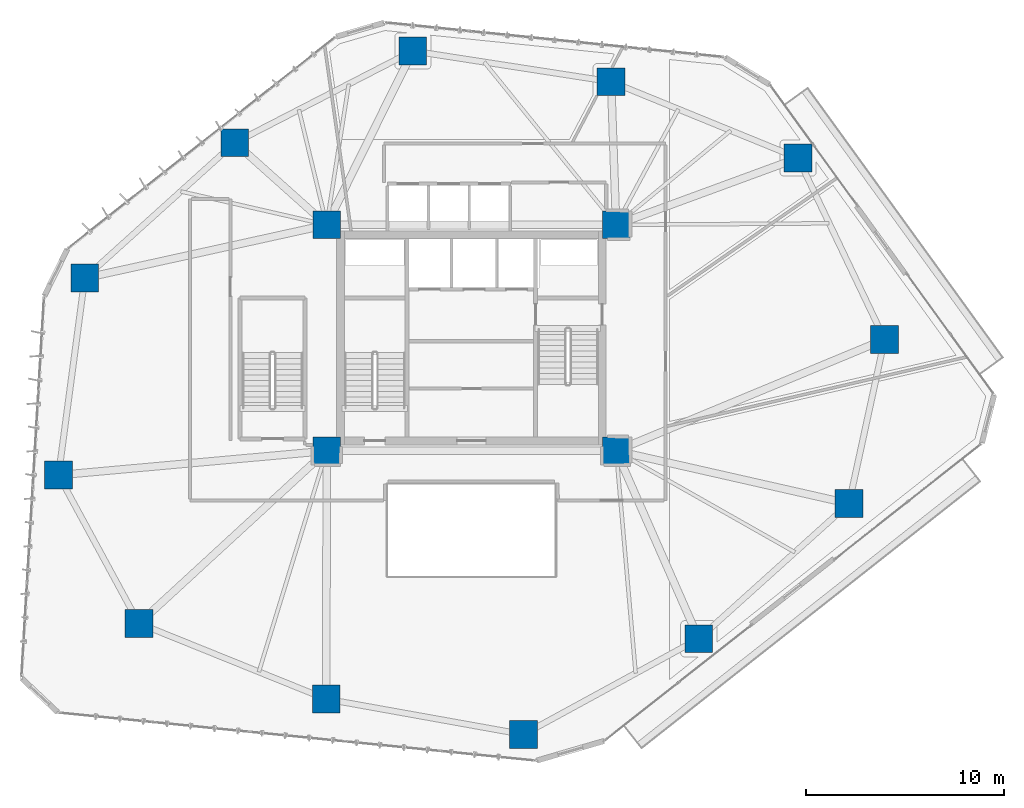
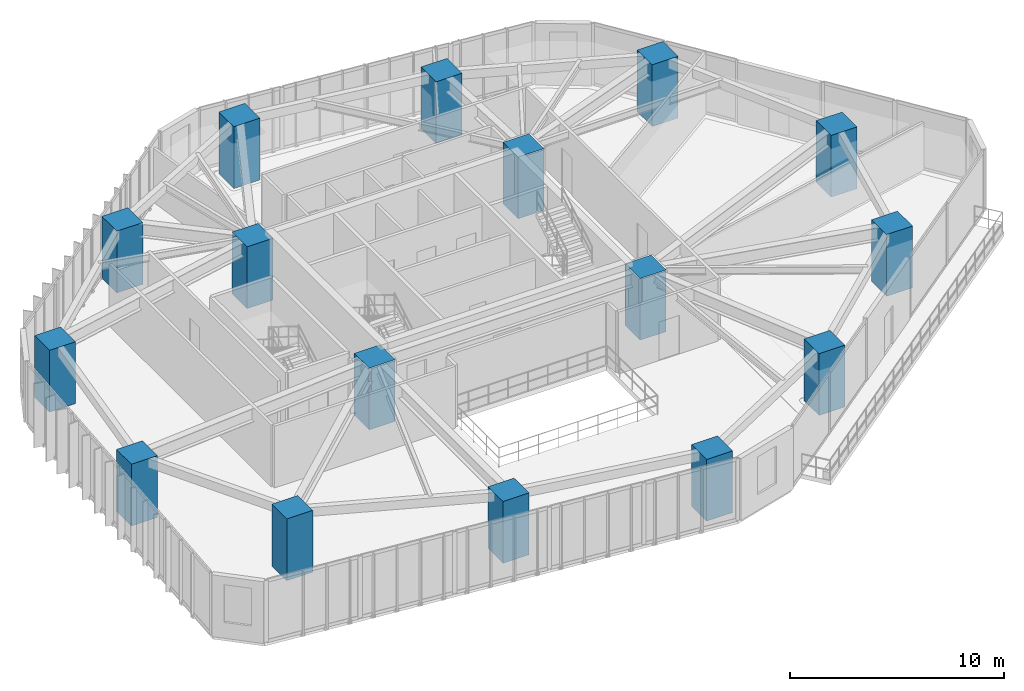
# One storey, part 1 of 24: 16 columns.
"""IFC4 building model written with IfcOpenShell, lengths in metres."""

from ifc_helpers import new_model, si_unit, direction, frame, origin, origin_2d, place, context, subcontext, project, spatial, rectangle, extrude, material, material_profile, profile_set, type_object, element, save


model = new_model("IFC4")

# Units and contexts
model_context = context("Model", 3, precision=1e-05, world=origin(), true_north=direction((0.0, 1.0)))
body_context = subcontext(model_context, "Body", "Model", "MODEL_VIEW")
ifc_project = project(units=[si_unit("LENGTHUNIT", "METRE"), si_unit("AREAUNIT", "SQUARE_METRE"), si_unit("VOLUMEUNIT", "CUBIC_METRE"), si_unit("PLANEANGLEUNIT", "RADIAN"), si_unit("MASSUNIT", "GRAM", prefix="KILO")], contexts=[model_context])

# Site, building, storey
site_placement = place(None, origin())
site = spatial("IfcSite", under=ifc_project, at=site_placement, CompositionType="ELEMENT")
building_placement = place(site_placement, origin())
building = spatial("IfcBuilding", under=site, at=building_placement, Name="Talar Marvaseh", CompositionType="ELEMENT")
storey_placement = place(building_placement, frame((0.0, 0.0, 73.39990234375)))
storey = spatial("IfcBuildingStorey", under=building, at=storey_placement, Name="L18", CompositionType="ELEMENT", Elevation=73.39990234375)

# Columns
ifc_material = material(Name="Concrete C70/85", Category="concrete")
ifc_material_profile = material_profile(ifc_material, rectangle(XDim=1.39990234375, YDim=1.39990234375, at=origin_2d()), Name="RC1400x1400")
ifc_profile_set = profile_set([ifc_material_profile], Name="Concrete C70/85")
column_type = type_object("IfcColumnType", Name="Zone 1 Tube Column RC1400x1400", PredefinedType="COLUMN", material=ifc_profile_set)
for number, where, z_axis, x_axis, name in (
    (1, (42.47705078125, 40.26904296875, 0.0), (0.0, 0.0, 1.0), (1.0, 0.0, 0.0), "L18 Zone 1 Tube Column RC1400x1400"),
    (2, (46.841064453125, 31.118896484375, 0.0), (0.0, 0.0, 1.0), (1.0, 0.0, 0.0), "L18 Zone 1 Tube Column RC1400x1400"),
    (3, (45.0439453125, 22.840087890625, 0.0), (0.0, 0.0, 1.0), (1.0, 0.0, 0.0), "L18 Zone 1 Tube Column RC1400x1400"),
    (4, (37.468017578125, 16.02099609375, 0.0), (0.0, 0.0, 1.0), (1.0, 0.0, 0.0), "L18 Zone 1 Tube Column RC1400x1400"),
    (5, (28.625, 11.195068359375, 0.0), (0.0, 0.0, 1.0), (1.0, 0.0, 0.0), "L18 Zone 1 Tube Column RC1400x1400"),
    (6, (18.68310546875, 12.97900390625, 0.0), (0.0, 0.0, 1.0), (1.0, 0.0, 0.0), "L18 Zone 1 Tube Column RC1400x1400"),
    (7, (9.23193359375, 16.7958984375, 0.0), (0.0, 0.0, 1.0), (1.0, 0.0, 0.0), "L18 Zone 1 Tube Column RC1400x1400"),
    (8, (5.175048828125, 24.27587890625, 0.0), (0.0, 0.0, 1.0), (1.0, 0.0, 0.0), "L18 Zone 1 Tube Column RC1400x1400"),
    (9, (6.501953125, 34.214111328125, 0.0), (0.0, 0.0, 1.0), (1.0, 0.0, 0.0), "L18 Zone 1 Tube Column RC1400x1400"),
    (10, (14.069091796875, 41.04296875, 0.0), (0.0, 0.0, 1.0), (1.0, 0.0, 0.0), "L18 Zone 1 Tube Column RC1400x1400"),
    (11, (23.047119140625, 45.6669921875, 0.0), (0.0, 0.0, 1.0), (1.0, 0.0, 0.0), "L18 Zone 1 Tube Column RC1400x1400"),
    (12, (33.0458984375, 44.117919921875, 0.0), (0.0, 0.0, 1.0), (1.0, 0.0, 0.0), "L18 Zone 1 Tube Column RC1400x1400"),
    (13, (18.699951171875, 25.5, 0.0), (0.0, 0.0, 1.0), (1.0, 0.0, 0.0), "L18 Zone 1 Tube Column RC1400x1400"),
    (14, (33.300048828125, 25.5, 0.0), (0.0, 0.0, 1.0), (1.0, 0.0, 0.0), "L18 Zone 1 Tube Column RC1400x1400"),
    (15, (33.300048828125, 36.89990234375, 0.0), (0.0, 0.0, 1.0), (1.0, 0.0, 0.0), "L18 Zone 1 Tube Column RC1400x1400"),
    (16, (18.699951171875, 36.89990234375, 0.0), (0.0, 0.0, 1.0), (1.0, 0.0, 0.0), "L18 Zone 1 Tube Column RC1400x1400"),
):
    element("IfcColumn", number, at=place(storey_placement, frame(where, z_axis=z_axis, x_axis=x_axis)), inside=storey, type_object=column_type, Name=name, PredefinedType="COLUMN", context=body_context, shape_type="SweptSolid", body=[
        extrude(rectangle(XDim=1.39990234375, YDim=1.39990234375, at=origin_2d()), origin(), (0.0, 0.0, 1.0), 3.52001953125),
    ])

save(model, "model.ifc")
